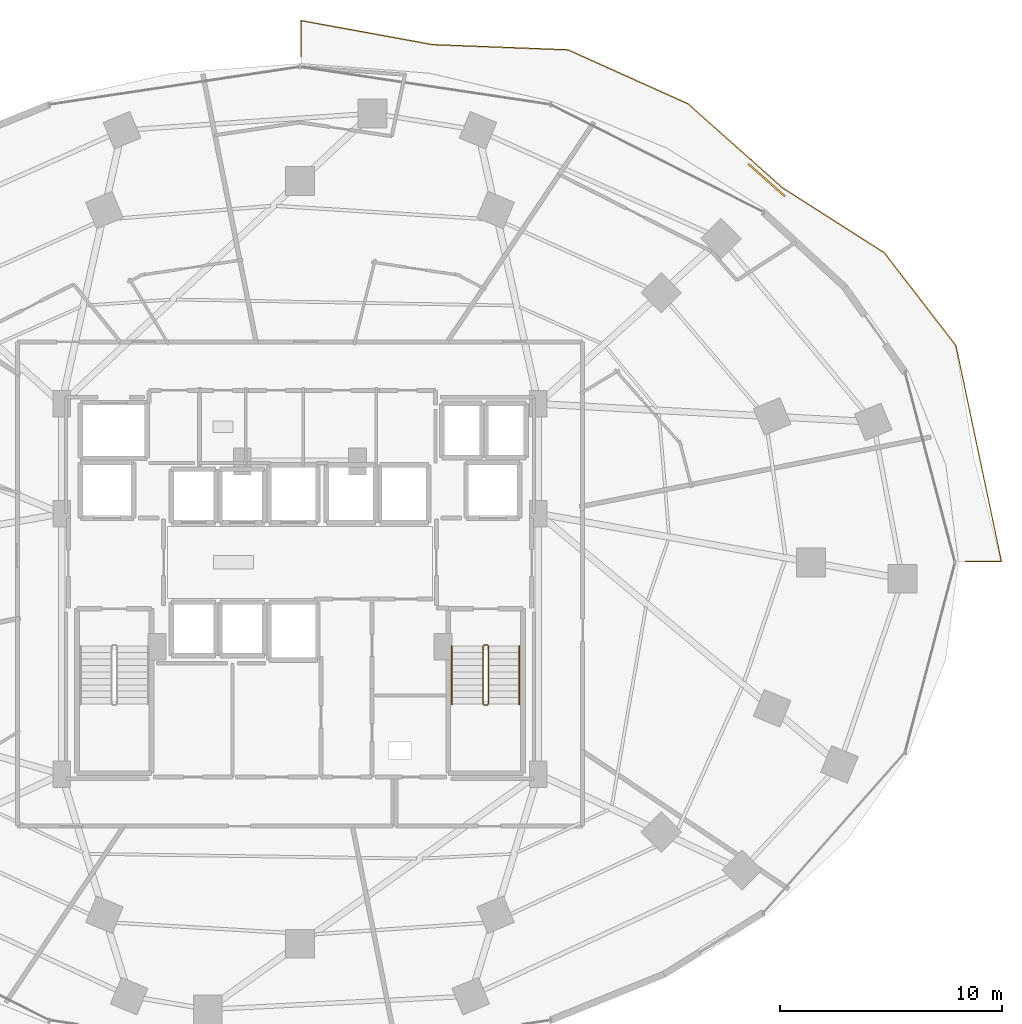
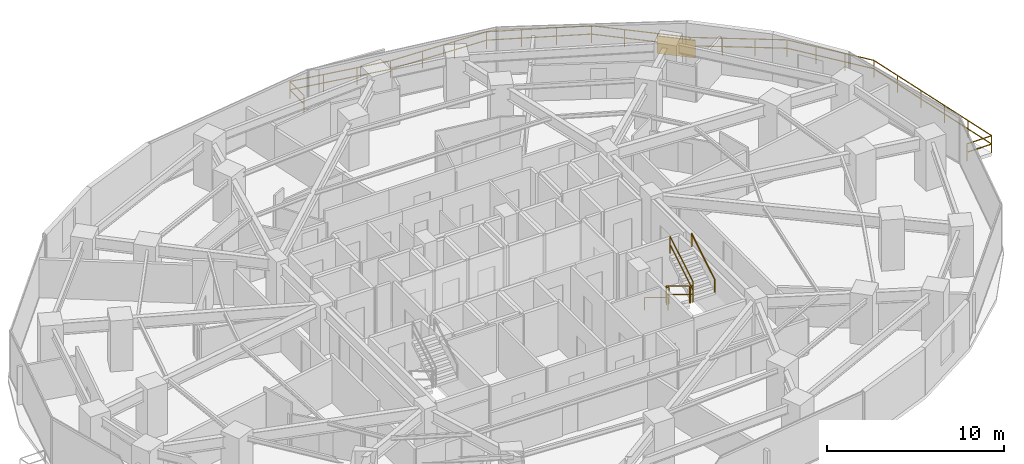
# One storey, part 29 of 30: 8 railings, 1 shading device.
"""IFC4 building model written with IfcOpenShell, lengths in metres."""

from ifc_helpers import new_model, si_unit, direction, frame, origin, origin_2d, place, context, subcontext, project, spatial, rectangle, extrude, material, type_object, element, save


model = new_model("IFC4")

# Units and contexts
model_context = context("Model", 3, precision=1e-05, world=origin(), true_north=direction((0.0, 1.0)))
body_context = subcontext(model_context, "Body", "Model", "MODEL_VIEW")
ifc_project = project(units=[si_unit("LENGTHUNIT", "METRE"), si_unit("AREAUNIT", "SQUARE_METRE"), si_unit("VOLUMEUNIT", "CUBIC_METRE"), si_unit("PLANEANGLEUNIT", "RADIAN"), si_unit("MASSUNIT", "GRAM", prefix="KILO")], contexts=[model_context])

# Site, building, storey
site_placement = place(None, origin())
site = spatial("IfcSite", under=ifc_project, at=site_placement, CompositionType="ELEMENT")
building_placement = place(site_placement, origin())
building = spatial("IfcBuilding", under=site, at=building_placement, Name="Vorneva Point Tower", CompositionType="ELEMENT")
storey_placement = place(building_placement, frame((0.0, 0.0, 41.5)))
storey = spatial("IfcBuildingStorey", under=building, at=storey_placement, Name="L10", CompositionType="ELEMENT", Elevation=41.5)

# Railings
ifc_material_1 = material(Name="Pale anodised aluminium", Category="aluminium")
railing_type_1 = type_object("IfcRailingType", Name="RL-BAL-1200", PredefinedType="BALUSTRADE", material=ifc_material_1)
railing_1_placement = place(storey_placement, frame((38.050048828125, 50.44091796875, 0.0)))
element("IfcRailing", 1, at=railing_1_placement, inside=storey, type_object=railing_type_1, Name="L10 Wave Balcony Balustrade NE.1", PredefinedType="BALUSTRADE", context=body_context, shape_type="SweptSolid", body=[
    extrude(rectangle(XDim=0.048095703125, YDim=0.048095703125, at=origin_2d()), frame((0.0, 0.0, 1.17578125), z_axis=(0.0, -1.0, 0.0), x_axis=(1.0, 0.0, 0.0)), (0.0, 0.0, 1.0), 1.623779296875),
    extrude(rectangle(XDim=0.048095703125, YDim=0.048095703125, at=origin_2d()), frame((0.0, 0.0, 0.60009765625), z_axis=(0.0, -1.0, 0.0), x_axis=(1.0, 0.0, 0.0)), (0.0, 0.0, 1.0), 1.623779296875),
    extrude(rectangle(XDim=0.0419921875, YDim=0.0419921875, at=origin_2d()), origin(), (0.0, 0.0, 1.0), 1.15185546875),
    extrude(rectangle(XDim=0.0419921875, YDim=0.0419921875, at=origin_2d()), frame((0.0, -1.623779296875, 0.0)), (0.0, 0.0, 1.0), 1.15185546875),
])
railing_2_placement = place(storey_placement, frame((68.01611328125, 26.050048828125, 0.0)))
element("IfcRailing", 2, at=railing_2_placement, inside=storey, type_object=railing_type_1, Name="L10 Wave Balcony Balustrade NE.2", PredefinedType="BALUSTRADE", context=body_context, shape_type="SweptSolid", body=[
    extrude(rectangle(XDim=0.048095703125, YDim=0.048095703125, at=origin_2d()), frame((0.0, 0.0, 1.17578125), z_axis=(1.0, 0.0, 0.0), x_axis=(0.0, 1.0, 0.0)), (0.0, 0.0, 1.0), 1.62060546875),
    extrude(rectangle(XDim=0.048095703125, YDim=0.048095703125, at=origin_2d()), frame((0.0, 0.0, 0.60009765625), z_axis=(1.0, 0.0, 0.0), x_axis=(0.0, 1.0, 0.0)), (0.0, 0.0, 1.0), 1.62060546875),
    extrude(rectangle(XDim=0.048095703125, YDim=0.048095703125, at=origin_2d()), frame((1.62060546875, 0.0, 1.17578125), z_axis=(-0.206314761506, 0.978485676535, 0.0), x_axis=(-0.978485676535, -0.206314761506, 0.0)), (0.0, 0.0, 1.0), 9.947265625),
    extrude(rectangle(XDim=0.048095703125, YDim=0.048095703125, at=origin_2d()), frame((1.62060546875, 0.0, 0.60009765625), z_axis=(-0.206314761506, 0.978485676535, 0.0), x_axis=(-0.978485676535, -0.206314761506, 0.0)), (0.0, 0.0, 1.0), 9.947265625),
    extrude(rectangle(XDim=0.048095703125, YDim=0.048095703125, at=origin_2d()), frame((-0.431640625, 9.733154296875, 1.17578125), z_axis=(-0.610666055033, 0.791888230264, 0.0), x_axis=(-0.791888230264, -0.610666055033, 0.0)), (0.0, 0.0, 1.0), 5.28369140625),
    extrude(rectangle(XDim=0.048095703125, YDim=0.048095703125, at=origin_2d()), frame((-0.431640625, 9.733154296875, 0.60009765625), z_axis=(-0.610666055033, 0.791888230264, 0.0), x_axis=(-0.791888230264, -0.610666055033, 0.0)), (0.0, 0.0, 1.0), 5.28369140625),
    extrude(rectangle(XDim=0.048095703125, YDim=0.048095703125, at=origin_2d()), frame((-3.658203125, 13.917236328125, 1.17578125), z_axis=(-0.842798797651, 0.538228749397, 0.0), x_axis=(-0.538228749397, -0.842798797651, 0.0)), (0.0, 0.0, 1.0), 5.46044921875),
    extrude(rectangle(XDim=0.048095703125, YDim=0.048095703125, at=origin_2d()), frame((-3.658203125, 13.917236328125, 0.60009765625), z_axis=(-0.842798797651, 0.538228749397, 0.0), x_axis=(-0.538228749397, -0.842798797651, 0.0)), (0.0, 0.0, 1.0), 5.46044921875),
    extrude(rectangle(XDim=0.048095703125, YDim=0.048095703125, at=origin_2d()), frame((-8.26025390625, 16.856201171875, 1.17578125), z_axis=(-0.747432986741, 0.664337211311, 0.0), x_axis=(-0.664337211311, -0.747432986741, 0.0)), (0.0, 0.0, 1.0), 5.69091796875),
    extrude(rectangle(XDim=0.048095703125, YDim=0.048095703125, at=origin_2d()), frame((-8.26025390625, 16.856201171875, 0.60009765625), z_axis=(-0.747432986741, 0.664337211311, 0.0), x_axis=(-0.664337211311, -0.747432986741, 0.0)), (0.0, 0.0, 1.0), 5.69091796875),
    extrude(rectangle(XDim=0.048095703125, YDim=0.048095703125, at=origin_2d()), frame((-12.513916015625, 20.636962890625, 1.17578125), z_axis=(-0.911854439194, 0.41051368031, 0.0), x_axis=(-0.41051368031, -0.911854439194, 0.0)), (0.0, 0.0, 1.0), 5.927001953125),
    extrude(rectangle(XDim=0.048095703125, YDim=0.048095703125, at=origin_2d()), frame((-12.513916015625, 20.636962890625, 0.60009765625), z_axis=(-0.911854439194, 0.41051368031, 0.0), x_axis=(-0.41051368031, -0.911854439194, 0.0)), (0.0, 0.0, 1.0), 5.927001953125),
    extrude(rectangle(XDim=0.048095703125, YDim=0.048095703125, at=origin_2d()), frame((-17.91845703125, 23.070068359375, 1.17578125), z_axis=(-0.999252656618, 0.038653955067, 0.0), x_axis=(-0.038653955067, -0.999252656618, 0.0)), (0.0, 0.0, 1.0), 6.114013671875),
    extrude(rectangle(XDim=0.048095703125, YDim=0.048095703125, at=origin_2d()), frame((-17.91845703125, 23.070068359375, 0.60009765625), z_axis=(-0.999252656618, 0.038653955067, 0.0), x_axis=(-0.038653955067, -0.999252656618, 0.0)), (0.0, 0.0, 1.0), 6.114013671875),
    extrude(rectangle(XDim=0.048095703125, YDim=0.048095703125, at=origin_2d()), frame((-24.02783203125, 23.306396484375, 1.17578125), z_axis=(-0.983729833809, 0.179654151288, 0.0), x_axis=(-0.179654151288, -0.983729833809, 0.0)), (0.0, 0.0, 1.0), 6.036376953125),
    extrude(rectangle(XDim=0.048095703125, YDim=0.048095703125, at=origin_2d()), frame((-24.02783203125, 23.306396484375, 0.60009765625), z_axis=(-0.983729833809, 0.179654151288, 0.0), x_axis=(-0.179654151288, -0.983729833809, 0.0)), (0.0, 0.0, 1.0), 6.036376953125),
    extrude(rectangle(XDim=0.0419921875, YDim=0.0419921875, at=origin_2d()), origin(), (0.0, 0.0, 1.0), 1.15185546875),
    extrude(rectangle(XDim=0.0419921875, YDim=0.0419921875, at=origin_2d()), frame((1.62060546875, 0.0, 0.0)), (0.0, 0.0, 1.0), 1.15185546875),
    extrude(rectangle(XDim=0.0419921875, YDim=0.0419921875, at=origin_2d()), frame((1.210205078125, 1.946533203125, 0.0)), (0.0, 0.0, 1.0), 1.15185546875),
    extrude(rectangle(XDim=0.0419921875, YDim=0.0419921875, at=origin_2d()), frame((0.7998046875, 3.893310546875, 0.0)), (0.0, 0.0, 1.0), 1.15185546875),
    extrude(rectangle(XDim=0.0419921875, YDim=0.0419921875, at=origin_2d()), frame((0.38916015625, 5.83984375, 0.0)), (0.0, 0.0, 1.0), 1.15185546875),
    extrude(rectangle(XDim=0.0419921875, YDim=0.0419921875, at=origin_2d()), frame((-0.021240234375, 7.78662109375, 0.0)), (0.0, 0.0, 1.0), 1.15185546875),
    extrude(rectangle(XDim=0.0419921875, YDim=0.0419921875, at=origin_2d()), frame((-0.431640625, 9.733154296875, 0.0)), (0.0, 0.0, 1.0), 1.15185546875),
    extrude(rectangle(XDim=0.0419921875, YDim=0.0419921875, at=origin_2d()), frame((-1.507080078125, 11.1279296875, 0.0)), (0.0, 0.0, 1.0), 1.15185546875),
    extrude(rectangle(XDim=0.0419921875, YDim=0.0419921875, at=origin_2d()), frame((-2.582763671875, 12.5224609375, 0.0)), (0.0, 0.0, 1.0), 1.15185546875),
    extrude(rectangle(XDim=0.0419921875, YDim=0.0419921875, at=origin_2d()), frame((-3.658203125, 13.917236328125, 0.0)), (0.0, 0.0, 1.0), 1.15185546875),
    extrude(rectangle(XDim=0.0419921875, YDim=0.0419921875, at=origin_2d()), frame((-5.192138671875, 14.89697265625, 0.0)), (0.0, 0.0, 1.0), 1.15185546875),
    extrude(rectangle(XDim=0.0419921875, YDim=0.0419921875, at=origin_2d()), frame((-6.726318359375, 15.87646484375, 0.0)), (0.0, 0.0, 1.0), 1.15185546875),
    extrude(rectangle(XDim=0.0419921875, YDim=0.0419921875, at=origin_2d()), frame((-8.26025390625, 16.856201171875, 0.0)), (0.0, 0.0, 1.0), 1.15185546875),
    extrude(rectangle(XDim=0.0419921875, YDim=0.0419921875, at=origin_2d()), frame((-9.67822265625, 18.116455078125, 0.0)), (0.0, 0.0, 1.0), 1.15185546875),
    extrude(rectangle(XDim=0.0419921875, YDim=0.0419921875, at=origin_2d()), frame((-11.095947265625, 19.376708984375, 0.0)), (0.0, 0.0, 1.0), 1.15185546875),
    extrude(rectangle(XDim=0.0419921875, YDim=0.0419921875, at=origin_2d()), frame((-12.513916015625, 20.636962890625, 0.0)), (0.0, 0.0, 1.0), 1.15185546875),
    extrude(rectangle(XDim=0.0419921875, YDim=0.0419921875, at=origin_2d()), frame((-14.3154296875, 21.447998046875, 0.0)), (0.0, 0.0, 1.0), 1.15185546875),
    extrude(rectangle(XDim=0.0419921875, YDim=0.0419921875, at=origin_2d()), frame((-16.116943359375, 22.259033203125, 0.0)), (0.0, 0.0, 1.0), 1.15185546875),
    extrude(rectangle(XDim=0.0419921875, YDim=0.0419921875, at=origin_2d()), frame((-17.91845703125, 23.070068359375, 0.0)), (0.0, 0.0, 1.0), 1.15185546875),
    extrude(rectangle(XDim=0.0419921875, YDim=0.0419921875, at=origin_2d()), frame((-19.954833984375, 23.14892578125, 0.0)), (0.0, 0.0, 1.0), 1.15185546875),
    extrude(rectangle(XDim=0.0419921875, YDim=0.0419921875, at=origin_2d()), frame((-21.991455078125, 23.2275390625, 0.0)), (0.0, 0.0, 1.0), 1.15185546875),
    extrude(rectangle(XDim=0.0419921875, YDim=0.0419921875, at=origin_2d()), frame((-24.02783203125, 23.306396484375, 0.0)), (0.0, 0.0, 1.0), 1.15185546875),
    extrude(rectangle(XDim=0.0419921875, YDim=0.0419921875, at=origin_2d()), frame((-26.00732421875, 23.66796875, 0.0)), (0.0, 0.0, 1.0), 1.15185546875),
    extrude(rectangle(XDim=0.0419921875, YDim=0.0419921875, at=origin_2d()), frame((-27.986572265625, 24.029296875, 0.0)), (0.0, 0.0, 1.0), 1.15185546875),
    extrude(rectangle(XDim=0.0419921875, YDim=0.0419921875, at=origin_2d()), frame((-29.966064453125, 24.390869140625, 0.0)), (0.0, 0.0, 1.0), 1.15185546875),
])
ifc_material_2 = material(Name="Brushed stainless steel S304", Category="steel")
railing_type_2 = type_object("IfcRailingType", Name="RL-HND-920", PredefinedType="HANDRAIL", material=ifc_material_2)
railing_3_placement = place(storey_placement, frame((44.85009765625, 22.219970703125, 0.175048828125)))
element("IfcRailing", 3, at=railing_3_placement, inside=storey, type_object=railing_type_2, Name="L10 ST2 stair handrail 1", PredefinedType="HANDRAIL", context=body_context, shape_type="SweptSolid", body=[
    extrude(rectangle(XDim=0.048095703125, YDim=0.048095703125, at=origin_2d()), frame((0.0, 0.0, 0.8759765625), z_axis=(0.0, -0.85618277418, 0.516673066065), x_axis=(1.0, 0.0, 0.0)), (0.0, 0.0, 1.0), 3.04833984375),
    extrude(rectangle(XDim=0.0419921875, YDim=0.0419921875, at=origin_2d()), origin(), (0.0, 0.0, 1.0), 0.851806640625),
    extrude(rectangle(XDim=0.0419921875, YDim=0.0419921875, at=origin_2d()), frame((0.0, -2.60986328125, 1.574951171875)), (0.0, 0.0, 1.0), 0.851806640625),
])
railing_4_placement = place(storey_placement, frame((47.89990234375, 19.610107421875, 1.925048828125)))
element("IfcRailing", 4, at=railing_4_placement, inside=storey, type_object=railing_type_2, Name="L10 ST2 stair handrail 2", PredefinedType="HANDRAIL", context=body_context, shape_type="SweptSolid", body=[
    extrude(rectangle(XDim=0.048095703125, YDim=0.048095703125, at=origin_2d()), frame((0.0, 0.0, 0.8759765625), z_axis=(0.0, 0.85618277418, 0.516673066065), x_axis=(-1.0, 0.0, 0.0)), (0.0, 0.0, 1.0), 3.04833984375),
    extrude(rectangle(XDim=0.0419921875, YDim=0.0419921875, at=origin_2d()), origin(), (0.0, 0.0, 1.0), 0.851806640625),
    extrude(rectangle(XDim=0.0419921875, YDim=0.0419921875, at=origin_2d()), frame((0.0, 2.60986328125, 1.574951171875)), (0.0, 0.0, 1.0), 0.851806640625),
])
railing_type_3 = type_object("IfcRailingType", Name="RL-STG-1100", PredefinedType="GUARDRAIL", material=ifc_material_2)
railing_5_placement = place(storey_placement, frame((46.25, 22.219970703125, 0.175048828125)))
element("IfcRailing", 5, at=railing_5_placement, inside=storey, type_object=railing_type_3, Name="L10 ST2 stair guard 1", PredefinedType="GUARDRAIL", context=body_context, shape_type="SweptSolid", body=[
    extrude(rectangle(XDim=0.048095703125, YDim=0.048095703125, at=origin_2d()), frame((0.0, 0.0, 1.17578125), z_axis=(0.0, -0.85618277418, 0.516673066065), x_axis=(1.0, 0.0, 0.0)), (0.0, 0.0, 1.0), 3.04833984375),
    extrude(rectangle(XDim=0.048095703125, YDim=0.048095703125, at=origin_2d()), frame((0.0, 0.0, 0.60009765625), z_axis=(0.0, -0.85618277418, 0.516673066065), x_axis=(1.0, 0.0, 0.0)), (0.0, 0.0, 1.0), 3.04833984375),
    extrude(rectangle(XDim=0.0419921875, YDim=0.0419921875, at=origin_2d()), origin(), (0.0, 0.0, 1.0), 1.15185546875),
    extrude(rectangle(XDim=0.0419921875, YDim=0.0419921875, at=origin_2d()), frame((0.0, -2.60986328125, 1.574951171875)), (0.0, 0.0, 1.0), 1.15185546875),
])
railing_6_placement = place(storey_placement, frame((46.300048828125, 19.56005859375, 1.75)))
element("IfcRailing", 6, at=railing_6_placement, inside=storey, type_object=railing_type_3, Name="L10 ST2 stair guard 2", PredefinedType="GUARDRAIL", context=body_context, shape_type="SweptSolid", body=[
    extrude(rectangle(XDim=0.048095703125, YDim=0.048095703125, at=origin_2d()), frame((0.0, 0.0, 1.17578125), z_axis=(1.0, 0.0, 0.0), x_axis=(0.0, 1.0, 0.0)), (0.0, 0.0, 1.0), 0.14990234375),
    extrude(rectangle(XDim=0.048095703125, YDim=0.048095703125, at=origin_2d()), frame((0.0, 0.0, 0.60009765625), z_axis=(1.0, 0.0, 0.0), x_axis=(0.0, 1.0, 0.0)), (0.0, 0.0, 1.0), 0.14990234375),
    extrude(rectangle(XDim=0.0419921875, YDim=0.0419921875, at=origin_2d()), origin(), (0.0, 0.0, 1.0), 1.15185546875),
    extrude(rectangle(XDim=0.0419921875, YDim=0.0419921875, at=origin_2d()), frame((0.14990234375, 0.0, 0.0)), (0.0, 0.0, 1.0), 1.15185546875),
])
railing_7_placement = place(storey_placement, frame((46.5, 19.610107421875, 1.925048828125)))
element("IfcRailing", 7, at=railing_7_placement, inside=storey, type_object=railing_type_3, Name="L10 ST2 stair guard 3", PredefinedType="GUARDRAIL", context=body_context, shape_type="SweptSolid", body=[
    extrude(rectangle(XDim=0.048095703125, YDim=0.048095703125, at=origin_2d()), frame((0.0, 0.0, 1.17578125), z_axis=(0.0, 0.85618277418, 0.516673066065), x_axis=(-1.0, 0.0, 0.0)), (0.0, 0.0, 1.0), 3.04833984375),
    extrude(rectangle(XDim=0.048095703125, YDim=0.048095703125, at=origin_2d()), frame((0.0, 0.0, 0.60009765625), z_axis=(0.0, 0.85618277418, 0.516673066065), x_axis=(-1.0, 0.0, 0.0)), (0.0, 0.0, 1.0), 3.04833984375),
    extrude(rectangle(XDim=0.0419921875, YDim=0.0419921875, at=origin_2d()), origin(), (0.0, 0.0, 1.0), 1.15185546875),
    extrude(rectangle(XDim=0.0419921875, YDim=0.0419921875, at=origin_2d()), frame((0.0, 2.60986328125, 1.574951171875)), (0.0, 0.0, 1.0), 1.15185546875),
])
railing_8_placement = place(storey_placement, frame((46.300048828125, 22.27001953125, 0.0)))
element("IfcRailing", 8, at=railing_8_placement, inside=storey, type_object=railing_type_3, Name="L10 ST2 stair guard 4", PredefinedType="GUARDRAIL", context=body_context, shape_type="SweptSolid", body=[
    extrude(rectangle(XDim=0.048095703125, YDim=0.048095703125, at=origin_2d()), frame((0.0, 0.0, 1.17578125), z_axis=(1.0, 0.0, 0.0), x_axis=(0.0, 1.0, 0.0)), (0.0, 0.0, 1.0), 0.14990234375),
    extrude(rectangle(XDim=0.048095703125, YDim=0.048095703125, at=origin_2d()), frame((0.0, 0.0, 0.60009765625), z_axis=(1.0, 0.0, 0.0), x_axis=(0.0, 1.0, 0.0)), (0.0, 0.0, 1.0), 0.14990234375),
    extrude(rectangle(XDim=0.0419921875, YDim=0.0419921875, at=origin_2d()), origin(), (0.0, 0.0, 1.0), 1.15185546875),
    extrude(rectangle(XDim=0.0419921875, YDim=0.0419921875, at=origin_2d()), frame((0.14990234375, 0.0, 0.0)), (0.0, 0.0, 1.0), 1.15185546875),
])

# Shading device
shading_device_type = type_object("IfcShadingDeviceType", Name="SHD-JAL-1200", PredefinedType="JALOUSIE", material=ifc_material_1)
shading_device_placement = place(storey_placement, frame((59.04638671875, 43.24609375, -0.02001953125), z_axis=(0.0, 0.0, 1.0), x_axis=(-0.747461951473, 0.664304622218, 0.0)))
element("IfcShadingDevice", 9, at=shading_device_placement, inside=storey, type_object=shading_device_type, Name="L10 Balcony Vertical-Greenery Planter Screen NE.2", PredefinedType="JALOUSIE", context=body_context, shape_type="SweptSolid", body=[
    extrude(rectangle(XDim=2.199951171875, YDim=0.080078125, at=origin_2d()), origin(), (0.0, 0.0, 1.0), 1.199951171875),
])

save(model, "model.ifc")
